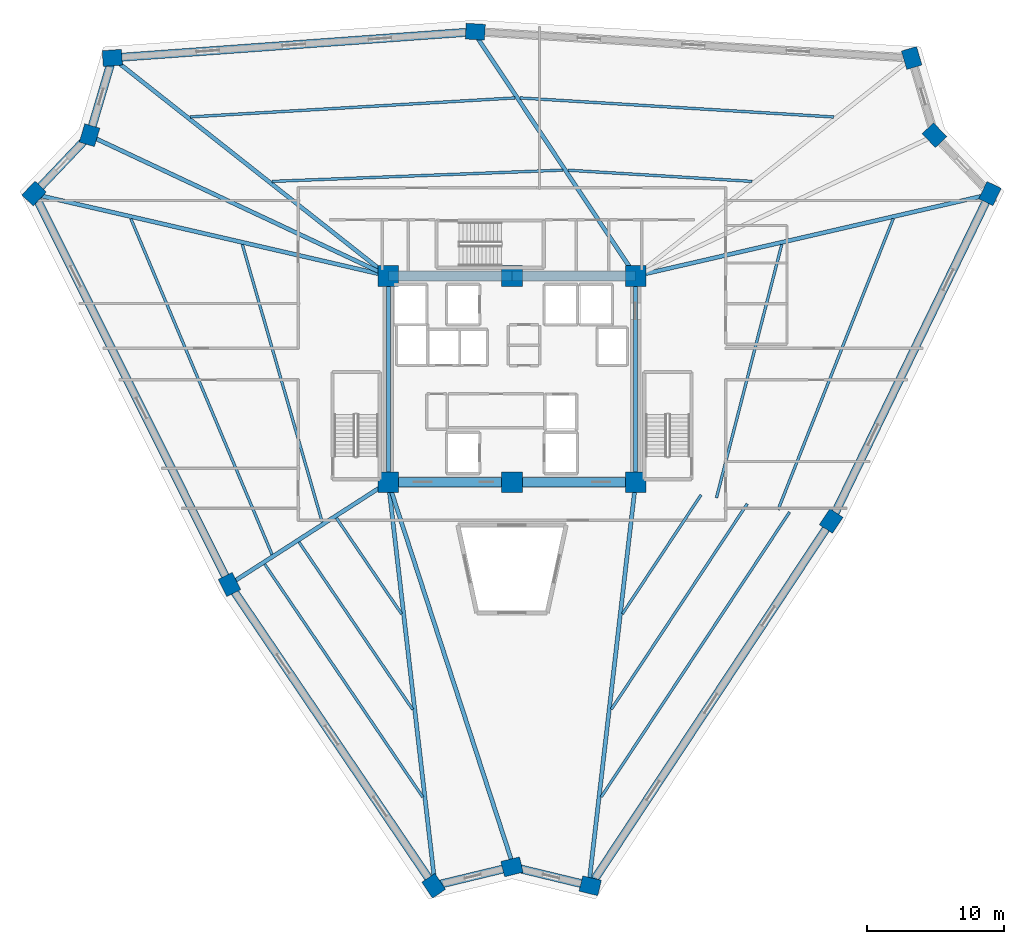
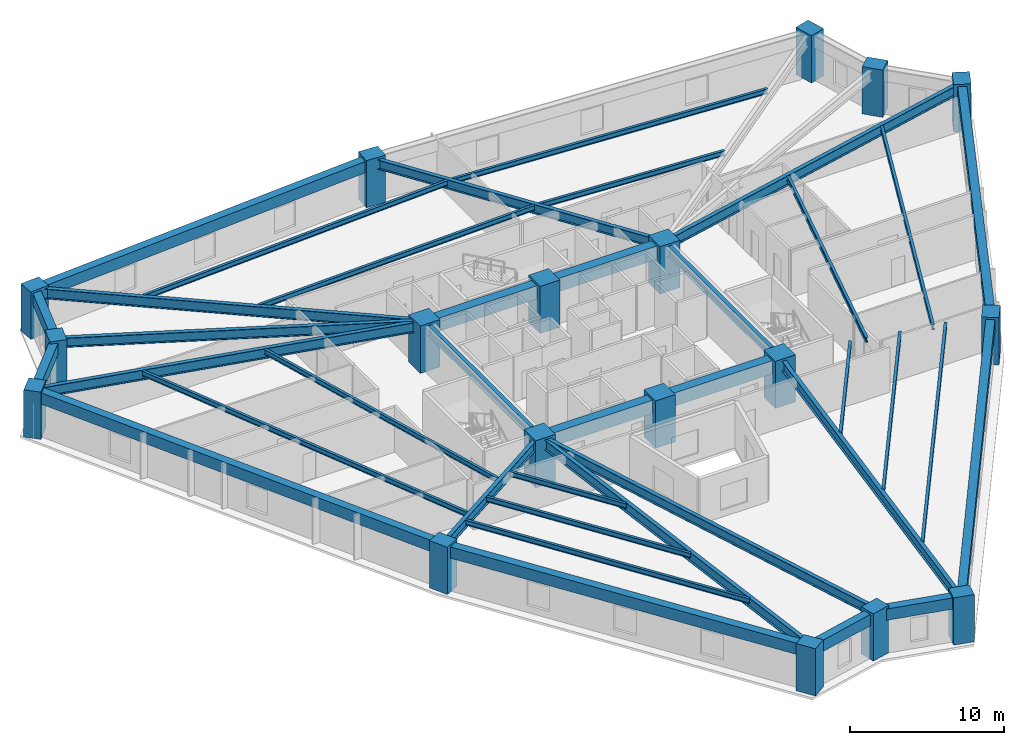
# One storey, part 1 of 8: 38 beams, 18 columns.
"""IFC4 building model written with IfcOpenShell, lengths in metres."""

import ifcopenshell
import ifcopenshell.guid

model = None  # the IFC model being written
_history = None  # IfcOwnerHistory: only IFC2X3 demands one
_inside = {}  # id of a spatial element -> (the spatial element, [elements in it])
_under = {}  # id of a project, library or spatial element -> (it, [spatial elements below it])
_declared = {}  # id of a project -> (the project, [libraries it declares])
_typed = {}  # id of a type object -> (the type object, [elements of that type])
_made_of = {}  # id of a material, layer set ... -> (it, [elements and type objects made of it])


def new_model(schema):
    """Start an empty IFC model of exactly this schema.

    Asked for "IFC4X3", IfcOpenShell would pick the latest addendum, in which some entities
    have other attributes; the version numbers below select the first issue.
    IFC2X3 requires an IfcOwnerHistory on every rooted entity: one is made here for all.
    """
    global model, _history
    if schema == "IFC4X3":
        model = ifcopenshell.file(schema_version=(4, 3, 0, 0))
    else:
        model = ifcopenshell.file(schema=schema)
    _inside.clear()
    _under.clear()
    _declared.clear()
    _typed.clear()
    _made_of.clear()
    _history = None
    if model.schema == "IFC2X3":
        org = make("IfcOrganization", Name="unknown")
        user = make(
            "IfcPersonAndOrganization",
            ThePerson=make("IfcPerson", FamilyName="unknown"),
            TheOrganization=org,
        )
        app = make(
            "IfcApplication",
            ApplicationDeveloper=org,
            Version="unknown",
            ApplicationFullName="unknown",
            ApplicationIdentifier="unknown",
        )
        _history = make(
            "IfcOwnerHistory",
            OwningUser=user,
            OwningApplication=app,
            ChangeAction="ADDED",
            CreationDate=0,
        )
    return model


def make(cls, **values):
    """One entity of the class cls with the attributes given. An attribute that is None is left unset."""
    return model.create_entity(
        cls, **{name: value for name, value in values.items() if value is not None}
    )


def rooted(cls, **values):
    """An entity with a GlobalId (a new one), such as an element, a storey or a relation."""
    return make(cls, GlobalId=ifcopenshell.guid.new(), OwnerHistory=_history, **values)


def si_unit(unit_type, name, prefix=None):
    """IfcSIUnit, for example si_unit("LENGTHUNIT", "METRE", prefix="MILLI")."""
    return make("IfcSIUnit", UnitType=unit_type, Prefix=prefix, Name=name)


def assignment(units):
    """IfcUnitAssignment: the units of a project."""
    return None if units is None else make("IfcUnitAssignment", Units=units)


def point(xyz):
    """IfcCartesianPoint."""
    return None if xyz is None else make("IfcCartesianPoint", Coordinates=xyz)


def direction(xyz):
    """IfcDirection."""
    return None if xyz is None else make("IfcDirection", DirectionRatios=xyz)


def frame(location, z_axis=None, x_axis=None):
    """IfcAxis2Placement3D, a coordinate frame: its origin and axes. An axis left out is left unset."""
    return make(
        "IfcAxis2Placement3D",
        Location=point(location),
        Axis=direction(z_axis),
        RefDirection=direction(x_axis),
    )


def frame_2d(location, x_axis=None):
    """IfcAxis2Placement2D, a coordinate frame in the plane: its origin and x axis."""
    return make(
        "IfcAxis2Placement2D", Location=point(location), RefDirection=direction(x_axis)
    )


def origin():
    """The frame at (0, 0, 0) with its axes left unset."""
    return frame((0.0, 0.0, 0.0))


def origin_2d():
    """The frame at (0, 0) in the plane with its x axis left unset."""
    return frame_2d((0.0, 0.0))


def place(relative_to, where):
    """IfcLocalPlacement: puts the frame where relative to a parent placement (None: the world)."""
    return make(
        "IfcLocalPlacement", PlacementRelTo=relative_to, RelativePlacement=where
    )


def context(
    kind, dimensions, precision=None, world=None, true_north=None, identifier=None
):
    """IfcGeometricRepresentationContext, for example the 3D "Model" context."""
    return make(
        "IfcGeometricRepresentationContext",
        ContextIdentifier=identifier,
        ContextType=kind,
        CoordinateSpaceDimension=dimensions,
        Precision=precision,
        WorldCoordinateSystem=world,
        TrueNorth=true_north,
    )


def subcontext(parent, identifier, kind, view, scale=None):
    """IfcGeometricRepresentationSubContext, for example "Body" below "Model"."""
    return make(
        "IfcGeometricRepresentationSubContext",
        ContextIdentifier=identifier,
        ContextType=kind,
        ParentContext=parent,
        TargetScale=scale,
        TargetView=view,
    )


def project(units=None, contexts=None):
    """IfcProject with its units and contexts."""
    return rooted(
        "IfcProject",
        Name="project",
        RepresentationContexts=contexts,
        UnitsInContext=assignment(units),
    )


def spatial(cls, under=None, at=None, **own):
    """A site, building, storey or space (cls), placed at a placement, below another one or the project."""
    s = rooted(cls, ObjectPlacement=at, **own)
    if under is not None:
        _under.setdefault(under.id(), (under, []))[1].append(s)
    return s


def profile(cls, at=None, kind="AREA", **sizes):
    """A parametric profile (cls). Its sizes go by their IFC names, for example OverallWidth=200.0."""
    return make(cls, ProfileType=kind, Position=at, **sizes)


def rectangle(**sizes):
    """IfcRectangleProfileDef."""
    return profile("IfcRectangleProfileDef", **sizes)


def i_section(**sizes):
    """IfcIShapeProfileDef."""
    return profile("IfcIShapeProfileDef", **sizes)


def extrude(swept, where, along, depth):
    """IfcExtrudedAreaSolid: the profile swept, set in the frame where, extruded along a direction by depth."""
    return make(
        "IfcExtrudedAreaSolid",
        SweptArea=swept,
        Position=where,
        ExtrudedDirection=direction(along),
        Depth=depth,
    )


def shape(context_of_items, identifier, shape_type, items):
    """IfcShapeRepresentation: the items that make up one representation, for example the "Body"."""
    return make(
        "IfcShapeRepresentation",
        ContextOfItems=context_of_items,
        RepresentationIdentifier=identifier,
        RepresentationType=shape_type,
        Items=items,
    )


def source(mapping_origin, context_of_items, identifier, shape_type, items):
    """IfcRepresentationMap: a shape defined once, which mapped items show again and again."""
    return make(
        "IfcRepresentationMap",
        MappingOrigin=mapping_origin,
        MappedRepresentation=shape(context_of_items, identifier, shape_type, items),
    )


def transform(
    local_origin,
    x_axis=None,
    y_axis=None,
    z_axis=None,
    scale=None,
    scale2=None,
    scale3=None,
    uniform=True,
):
    """IfcCartesianTransformationOperator3D, or its non-uniform kind. x_axis, y_axis, z_axis: its Axis1, 2, 3."""
    if uniform:
        return make(
            "IfcCartesianTransformationOperator3D",
            Axis1=direction(x_axis),
            Axis2=direction(y_axis),
            LocalOrigin=point(local_origin),
            Scale=scale,
            Axis3=direction(z_axis),
        )
    return make(
        "IfcCartesianTransformationOperator3DnonUniform",
        Axis1=direction(x_axis),
        Axis2=direction(y_axis),
        LocalOrigin=point(local_origin),
        Scale=scale,
        Axis3=direction(z_axis),
        Scale2=scale2,
        Scale3=scale3,
    )


def mapped(mapping_source, mapping_target):
    """IfcMappedItem: shows the shape of a source again, moved by a transform."""
    return make(
        "IfcMappedItem", MappingSource=mapping_source, MappingTarget=mapping_target
    )


def material(Name=None, Category=None):
    """IfcMaterial."""
    return make("IfcMaterial", Name=Name, Category=Category)


def material_profile(
    of_material, cross_section, Name=None, Category=None, Priority=None
):
    """IfcMaterialProfile: a cross section and its material."""
    return make(
        "IfcMaterialProfile",
        Name=Name,
        Material=of_material,
        Profile=cross_section,
        Priority=Priority,
        Category=Category,
    )


def profile_set(profiles, Name=None, composite=None):
    """IfcMaterialProfileSet."""
    return make(
        "IfcMaterialProfileSet",
        Name=Name,
        MaterialProfiles=profiles,
        CompositeProfile=composite,
    )


def made_of(thing, what):
    """Note that an element or type object is made of a material, layer set ...; save() writes the relation."""
    if what is not None:
        _made_of.setdefault(what.id(), (what, []))[1].append(thing)
    return thing


def type_object(cls, material=None, **own):
    """A type object (cls), such as IfcWallType, which elements share."""
    return made_of(rooted(cls, **own), material)


def element(
    cls,
    number,
    at=None,
    inside=None,
    cuts=None,
    type_object=None,
    material=None,
    context=None,
    identifier="Body",
    shape_type=None,
    held_by="IfcProductDefinitionShape",
    body=None,
    shapes=None,
    **own,
):
    """One element of the class cls, such as IfcWall. Its Tag is "e" and its number.

    at: its placement. inside: the storey or other place that contains it. cuts: it is an
    opening in that element (IfcRelVoidsElement). A single representation is given by context,
    identifier, shape_type and body (its items); several are given by shapes. held_by: the class
    of the entity that holds the representations. save() writes the other relations.
    """
    e = rooted(cls, Tag="e%d" % number, ObjectPlacement=at, **own)
    if body is not None:
        shapes = [shape(context, identifier, shape_type, body)]
    if shapes is not None:
        e.Representation = make(held_by, Representations=shapes)
    if inside is not None:
        _inside.setdefault(inside.id(), (inside, []))[1].append(e)
    if cuts is not None:
        rooted(
            "IfcRelVoidsElement", RelatingBuildingElement=cuts, RelatedOpeningElement=e
        )
    if type_object is not None:
        _typed.setdefault(type_object.id(), (type_object, []))[1].append(e)
    return made_of(e, material)


def aggregate(whole, parts):
    """IfcRelAggregates: a whole, such as a stair, and the parts it consists of."""
    return rooted("IfcRelAggregates", RelatingObject=whole, RelatedObjects=parts)


def save(model, path):
    """Write the relations noted so far, then the file.

    IfcRelAggregates (storeys below a building ...), IfcRelContainedInSpatialStructure (elements
    in a storey), IfcRelDefinesByType, IfcRelAssociatesMaterial and IfcRelDeclares: one each for
    every whole, place, type object, material and project.
    """
    for whole, parts in _under.values():
        aggregate(whole, parts)
    for where, things in _inside.values():
        rooted(
            "IfcRelContainedInSpatialStructure",
            RelatedElements=things,
            RelatingStructure=where,
        )
    for kind, things in _typed.values():
        rooted("IfcRelDefinesByType", RelatedObjects=things, RelatingType=kind)
    for what, things in _made_of.values():
        rooted("IfcRelAssociatesMaterial", RelatedObjects=things, RelatingMaterial=what)
    for by, libraries in _declared.values():
        rooted("IfcRelDeclares", RelatingContext=by, RelatedDefinitions=libraries)
    model.write(path)


model = new_model("IFC4")

# Units and contexts
model_context = context("Model", 3, precision=1e-05, world=origin(), true_north=direction((0.0, 1.0)))
body_context = subcontext(model_context, "Body", "Model", "MODEL_VIEW")
ifc_project = project(units=[si_unit("LENGTHUNIT", "METRE"), si_unit("AREAUNIT", "SQUARE_METRE"), si_unit("VOLUMEUNIT", "CUBIC_METRE"), si_unit("PLANEANGLEUNIT", "RADIAN"), si_unit("MASSUNIT", "GRAM", prefix="KILO")], contexts=[model_context])

# Site, building, storey
site_placement = place(None, origin())
site = spatial("IfcSite", under=ifc_project, at=site_placement, CompositionType="ELEMENT")
building_placement = place(site_placement, origin())
building = spatial("IfcBuilding", under=site, at=building_placement, Name="Liaohun Quay Tower", CompositionType="ELEMENT")
storey_placement = place(building_placement, frame((0.0, 0.0, 174.0)))
storey = spatial("IfcBuildingStorey", under=building, at=storey_placement, Name="L45", CompositionType="ELEMENT", Elevation=174.0)

# Columns
ifc_material_1 = material(Name="Concrete C60", Category="concrete")
ifc_material_profile_1 = material_profile(ifc_material_1, rectangle(XDim=1.5, YDim=1.5, at=origin_2d()), Name="RC1500x1500")
ifc_profile_set_1 = profile_set([ifc_material_profile_1], Name="Concrete C60")
column_type_1 = type_object("IfcColumnType", Name="COL-CC-Z2", PredefinedType="COLUMN", material=ifc_profile_set_1)
shared_shape_1 = source(origin(), body_context, "Body", "SweptSolid", [
    extrude(rectangle(XDim=1.5, YDim=1.5, at=origin_2d()), origin(), (0.0, 0.0, 1.0), 3.75),
])
for number, where, z_axis, x_axis, name in (
    (1, (51.0, 46.5, 0.0), (0.0, 0.0, 1.0), (1.0, 0.0, 0.0), "L45 Core Column CC1"),
    (2, (60.0, 46.5, 0.0), (0.0, 0.0, 1.0), (1.0, 0.0, 0.0), "L45 Core Column CC2"),
    (3, (69.0, 46.5, 0.0), (0.0, 0.0, 1.0), (1.0, 0.0, 0.0), "L45 Core Column CC3"),
    (4, (69.0, 61.5, 0.0), (0.0, 0.0, 1.0), (1.0, 0.0, 0.0), "L45 Core Column CC4"),
    (5, (60.0, 61.5, 0.0), (0.0, 0.0, 1.0), (1.0, 0.0, 0.0), "L45 Core Column CC5"),
    (6, (51.0, 61.5, 0.0), (0.0, 0.0, 1.0), (1.0, 0.0, 0.0), "L45 Core Column CC6"),
):
    element("IfcColumn", number, at=place(storey_placement, frame(where, z_axis=z_axis, x_axis=x_axis)), inside=storey, type_object=column_type_1, Name=name, PredefinedType="COLUMN", context=body_context, shape_type="MappedRepresentation", body=[
        mapped(shared_shape_1, transform((0.0, 0.0, 0.0), x_axis=(1.0, 0.0, 0.0), y_axis=(0.0, 1.0, 0.0), z_axis=(0.0, 0.0, 1.0), scale=1.0)),
    ])
ifc_material_profile_2 = material_profile(ifc_material_1, rectangle(XDim=1.39990234375, YDim=1.14990234375, at=origin_2d()), Name="RC1400x1150")
ifc_profile_set_2 = profile_set([ifc_material_profile_2], Name="Concrete C60")
column_type_2 = type_object("IfcColumnType", Name="COL-PIER-Z2", PredefinedType="COLUMN", material=ifc_profile_set_2)
shared_shape_2 = source(origin(), body_context, "Body", "SweptSolid", [
    extrude(rectangle(XDim=1.39990234375, YDim=1.14990234375, at=origin_2d()), origin(), (0.0, 0.0, 1.0), 3.75),
])
for number, where, z_axis, x_axis, name in (
    (7, (54.300048828125, 17.1220703125, 0.0), (0.0, 0.0, 1.0), (-0.56107248907, 0.827766671236, 0.0), "L45 Perimeter Pier PC01"),
    (8, (39.43994140625, 39.044921875, 0.0), (0.0, 0.0, 1.0), (-0.446978620671, 0.894544639838, 0.0), "L45 Perimeter Pier PC02"),
    (9, (25.218017578125, 67.508056640625, 0.0), (0.0, 0.0, 1.0), (0.689240273721, 0.724532846102, 0.0), "L45 Perimeter Pier PC03"),
    (10, (29.25390625, 71.7509765625, 0.0), (0.0, 0.0, 1.0), (0.28284371374, 0.959166009405, 0.0), "L45 Perimeter Pier PC04"),
    (11, (30.9130859375, 77.3759765625, 0.0), (0.0, 0.0, 1.0), (0.997403210231, 0.072019693281, 0.0), "L45 Perimeter Pier PC05"),
    (12, (57.3291015625, 79.282958984375, 0.0), (0.0, 0.0, 1.0), (-0.998187693254, 0.060177479469, 0.0), "L45 Perimeter Pier PC06"),
    (13, (89.089111328125, 77.367919921875, 0.0), (0.0, 0.0, 1.0), (-0.28284371374, 0.959166009405, 0.0), "L45 Perimeter Pier PC07"),
    (14, (90.74609375, 71.7509765625, 0.0), (0.0, 0.0, 1.0), (-0.689240273721, 0.724532846102, 0.0), "L45 Perimeter Pier PC08"),
    (15, (94.787109375, 67.5029296875, 0.0), (0.0, 0.0, 1.0), (0.436330721162, 0.899786364517, 0.0), "L45 Perimeter Pier PC09"),
    (16, (83.23193359375, 43.672119140625, 0.0), (0.0, 0.0, 1.0), (0.551209072583, 0.834367160369, 0.0), "L45 Perimeter Pier PC10"),
    (17, (65.693115234375, 17.123046875, 0.0), (0.0, 0.0, 1.0), (-0.972043021443, 0.234802820391, 0.0), "L45 Perimeter Pier PC11"),
    (18, (60.0, 18.498046875, 0.0), (0.0, 0.0, 1.0), (0.972043021443, 0.234802820391, 0.0), "L45 Perimeter Pier PC12"),
):
    element("IfcColumn", number, at=place(storey_placement, frame(where, z_axis=z_axis, x_axis=x_axis)), inside=storey, type_object=column_type_2, Name=name, PredefinedType="COLUMN", context=body_context, shape_type="MappedRepresentation", body=[
        mapped(shared_shape_2, transform((0.0, 0.0, 0.0), x_axis=(1.0, 0.0, 0.0), y_axis=(0.0, 1.0, 0.0), z_axis=(0.0, 0.0, 1.0), scale=1.0)),
    ])

# Beams
ifc_material_profile_3 = material_profile(ifc_material_1, rectangle(XDim=0.699951171875, YDim=1.050048828125, at=origin_2d()), Name="RC700x1050")
ifc_profile_set_3 = profile_set([ifc_material_profile_3], Name="Concrete C60")
beam_type_1 = type_object("IfcBeamType", Name="BM-CPL-1", PredefinedType="LINTEL", material=ifc_profile_set_3)
shared_shape_3 = source(origin(), body_context, "Body", "SweptSolid", [
    extrude(rectangle(XDim=0.699951171875, YDim=1.050048828125, at=origin_2d()), origin(), (0.0, 0.0, 1.0), 9.0),
])
for number, where, z_axis, x_axis, name in (
    (19, (51.0, 46.5, 3.044921875), (1.0, 0.0, 0.0), (0.0, 1.0, 0.0), "L45 Core Coupling/Ring Beam CC1-CC2"),
    (20, (60.0, 46.5, 3.044921875), (1.0, 0.0, 0.0), (0.0, 1.0, 0.0), "L45 Core Coupling/Ring Beam CC2-CC3"),
    (21, (69.0, 61.5, 3.044921875), (-1.0, 0.0, 0.0), (0.0, -1.0, 0.0), "L45 Core Coupling/Ring Beam CC4-CC5"),
    (22, (60.0, 61.5, 3.044921875), (-1.0, 0.0, 0.0), (0.0, -1.0, 0.0), "L45 Core Coupling/Ring Beam CC5-CC6"),
):
    element("IfcBeam", number, at=place(storey_placement, frame(where, z_axis=z_axis, x_axis=x_axis)), inside=storey, type_object=beam_type_1, Name=name, PredefinedType="LINTEL", context=body_context, shape_type="MappedRepresentation", body=[
        mapped(shared_shape_3, transform((0.0, 0.0, 0.0), x_axis=(1.0, 0.0, 0.0), y_axis=(0.0, 1.0, 0.0), z_axis=(0.0, 0.0, 1.0), scale=1.0)),
    ])
ifc_material_2 = material(Name="Steel Q355D", Category="steel")
ifc_material_profile_4 = material_profile(ifc_material_2, i_section(OverallWidth=0.300048828125, OverallDepth=0.800048828125, WebThickness=0.013916015625, FlangeThickness=0.02587890625, at=origin_2d()), Name="HN800x300x14x26")
ifc_profile_set_4 = profile_set([ifc_material_profile_4], Name="Steel Q355D")
beam_type_2 = type_object("IfcBeamType", Name="BM-RAD-M1", PredefinedType="BEAM", material=ifc_profile_set_4)
shared_shape_4 = source(origin(), body_context, "Body", "SweptSolid", [
    extrude(i_section(OverallWidth=0.300048828125, OverallDepth=0.800048828125, WebThickness=0.013916015625, FlangeThickness=0.02587890625, at=origin_2d()), origin(), (0.0, 0.0, 1.0), 15.0),
])
for number, where, z_axis, x_axis, name in (
    (23, (69.0, 46.5, 3.169921875), (0.0, 1.0, 0.0), (-1.0, 0.0, 0.0), "L45 Core Coupling/Ring Beam CC3-CC4"),
    (24, (51.0, 61.5, 3.169921875), (0.0, -1.0, 0.0), (1.0, 0.0, 0.0), "L45 Core Coupling/Ring Beam CC6-CC1"),
):
    element("IfcBeam", number, at=place(storey_placement, frame(where, z_axis=z_axis, x_axis=x_axis)), inside=storey, type_object=beam_type_2, Name=name, PredefinedType="BEAM", context=body_context, shape_type="MappedRepresentation", body=[
        mapped(shared_shape_4, transform((0.0, 0.0, 0.0), x_axis=(1.0, 0.0, 0.0), y_axis=(0.0, 1.0, 0.0), z_axis=(0.0, 0.0, 1.0), scale=1.0)),
    ])
ifc_material_3 = material(Name="Precast concrete C55", Category="concrete")
ifc_material_profile_5 = material_profile(ifc_material_3, rectangle(XDim=0.60009765625, YDim=0.89990234375, at=origin_2d()), Name="RC600x900")
ifc_profile_set_5 = profile_set([ifc_material_profile_5], Name="Precast concrete C55")
beam_type_3 = type_object("IfcBeamType", Name="BM-SPD-Z2", PredefinedType="SPANDREL", material=ifc_profile_set_5)
shared_shape_5 = source(origin(), body_context, "Body", "SweptSolid", [
    extrude(rectangle(XDim=0.60009765625, YDim=0.89990234375, at=origin_2d()), origin(), (0.0, 0.0, 1.0), 26.484619140625),
])
for number, where, z_axis, x_axis, name in (
    (25, (54.300048828125, 17.1220703125, 3.1201171875), (-0.561084764615, 0.827758350557, 0.0), (-0.827758350557, -0.561084764615, 0.0), "L45 Precast Spandrel Beam PC01-PC02"),
    (26, (94.787109375, 67.5029296875, 3.1201171875), (-0.436299289997, -0.89980160566, 0.0), (0.89980160566, -0.436299289997, 0.0), "L45 Precast Spandrel Beam PC09-PC10"),
):
    element("IfcBeam", number, at=place(storey_placement, frame(where, z_axis=z_axis, x_axis=x_axis)), inside=storey, type_object=beam_type_3, Name=name, PredefinedType="SPANDREL", context=body_context, shape_type="MappedRepresentation", body=[
        mapped(shared_shape_5, transform((0.0, 0.0, 0.0), x_axis=(1.0, 0.0, 0.0), y_axis=(0.0, 1.0, 0.0), z_axis=(0.0, 0.0, 1.0), scale=1.0)),
    ])
shared_shape_6 = source(origin(), body_context, "Body", "SweptSolid", [
    extrude(rectangle(XDim=0.60009765625, YDim=0.89990234375, at=origin_2d()), origin(), (0.0, 0.0, 1.0), 31.818359375),
])
beam_1_placement = place(storey_placement, frame((39.43994140625, 39.044921875, 3.1201171875), z_axis=(-0.446971114522, 0.894548390409, 0.0), x_axis=(-0.894548390409, -0.446971114522, 0.0)))
element("IfcBeam", 27, at=beam_1_placement, inside=storey, type_object=beam_type_3, Name="L45 Precast Spandrel Beam PC02-PC03", PredefinedType="SPANDREL", context=body_context, shape_type="MappedRepresentation", body=[
    mapped(shared_shape_6, transform((0.0, 0.0, 0.0), x_axis=(1.0, 0.0, 0.0), y_axis=(0.0, 1.0, 0.0), z_axis=(0.0, 0.0, 1.0), scale=1.0)),
])
shared_shape_7 = source(origin(), body_context, "Body", "SweptSolid", [
    extrude(rectangle(XDim=0.60009765625, YDim=0.89990234375, at=origin_2d()), origin(), (0.0, 0.0, 1.0), 5.855712890625),
])
beam_2_placement = place(storey_placement, frame((25.218017578125, 67.508056640625, 3.1201171875), z_axis=(0.689208427544, 0.724563139694, 0.0), x_axis=(-0.724563139694, 0.689208427544, 0.0)))
element("IfcBeam", 28, at=beam_2_placement, inside=storey, type_object=beam_type_3, Name="L45 Precast Spandrel Beam PC03-PC04", PredefinedType="SPANDREL", context=body_context, shape_type="MappedRepresentation", body=[
    mapped(shared_shape_7, transform((0.0, 0.0, 0.0), x_axis=(1.0, 0.0, 0.0), y_axis=(0.0, 1.0, 0.0), z_axis=(0.0, 0.0, 1.0), scale=1.0)),
])
shared_shape_8 = source(origin(), body_context, "Body", "SweptSolid", [
    extrude(rectangle(XDim=0.60009765625, YDim=0.89990234375, at=origin_2d()), origin(), (0.0, 0.0, 1.0), 5.864501953125),
])
beam_3_placement = place(storey_placement, frame((29.25390625, 71.7509765625, 3.1201171875), z_axis=(0.282914509671, 0.959145129903, 0.0), x_axis=(-0.959145129903, 0.282914509671, 0.0)))
element("IfcBeam", 29, at=beam_3_placement, inside=storey, type_object=beam_type_3, Name="L45 Precast Spandrel Beam PC04-PC05", PredefinedType="SPANDREL", context=body_context, shape_type="MappedRepresentation", body=[
    mapped(shared_shape_8, transform((0.0, 0.0, 0.0), x_axis=(1.0, 0.0, 0.0), y_axis=(0.0, 1.0, 0.0), z_axis=(0.0, 0.0, 1.0), scale=1.0)),
])
shared_shape_9 = source(origin(), body_context, "Body", "SweptSolid", [
    extrude(rectangle(XDim=0.60009765625, YDim=0.89990234375, at=origin_2d()), origin(), (0.0, 0.0, 1.0), 26.48486328125),
])
beam_4_placement = place(storey_placement, frame((30.9130859375, 77.3759765625, 3.1201171875), z_axis=(0.99740441461, 0.072003011853, 0.0), x_axis=(-0.072003011853, 0.99740441461, 0.0)))
element("IfcBeam", 30, at=beam_4_placement, inside=storey, type_object=beam_type_3, Name="L45 Precast Spandrel Beam PC05-PC06", PredefinedType="SPANDREL", context=body_context, shape_type="MappedRepresentation", body=[
    mapped(shared_shape_9, transform((0.0, 0.0, 0.0), x_axis=(1.0, 0.0, 0.0), y_axis=(0.0, 1.0, 0.0), z_axis=(0.0, 0.0, 1.0), scale=1.0)),
])
shared_shape_10 = source(origin(), body_context, "Body", "SweptSolid", [
    extrude(rectangle(XDim=0.60009765625, YDim=0.89990234375, at=origin_2d()), origin(), (0.0, 0.0, 1.0), 31.8193359375),
])
beam_5_placement = place(storey_placement, frame((83.23193359375, 43.672119140625, 3.1201171875), z_axis=(-0.551201850189, -0.834371931664, 0.0), x_axis=(0.834371931664, -0.551201850189, 0.0)))
element("IfcBeam", 31, at=beam_5_placement, inside=storey, type_object=beam_type_3, Name="L45 Precast Spandrel Beam PC10-PC11", PredefinedType="SPANDREL", context=body_context, shape_type="MappedRepresentation", body=[
    mapped(shared_shape_10, transform((0.0, 0.0, 0.0), x_axis=(1.0, 0.0, 0.0), y_axis=(0.0, 1.0, 0.0), z_axis=(0.0, 0.0, 1.0), scale=1.0)),
])
shared_shape_11 = source(origin(), body_context, "Body", "SweptSolid", [
    extrude(rectangle(XDim=0.60009765625, YDim=0.89990234375, at=origin_2d()), origin(), (0.0, 0.0, 1.0), 5.856689453125),
])
beam_6_placement = place(storey_placement, frame((65.693115234375, 17.123046875, 3.1201171875), z_axis=(-0.972051053399, 0.234769566994, 0.0), x_axis=(-0.234769566994, -0.972051053399, 0.0)))
element("IfcBeam", 32, at=beam_6_placement, inside=storey, type_object=beam_type_3, Name="L45 Precast Spandrel Beam PC11-PC12", PredefinedType="SPANDREL", context=body_context, shape_type="MappedRepresentation", body=[
    mapped(shared_shape_11, transform((0.0, 0.0, 0.0), x_axis=(1.0, 0.0, 0.0), y_axis=(0.0, 1.0, 0.0), z_axis=(0.0, 0.0, 1.0), scale=1.0)),
])
shared_shape_12 = source(origin(), body_context, "Body", "SweptSolid", [
    extrude(rectangle(XDim=0.60009765625, YDim=0.89990234375, at=origin_2d()), origin(), (0.0, 0.0, 1.0), 5.86376953125),
])
beam_7_placement = place(storey_placement, frame((60.0, 18.498046875, 3.1201171875), z_axis=(-0.97207729624, -0.234660883266, 0.0), x_axis=(0.234660883266, -0.97207729624, 0.0)))
element("IfcBeam", 33, at=beam_7_placement, inside=storey, type_object=beam_type_3, Name="L45 Precast Spandrel Beam PC12-PC01", PredefinedType="SPANDREL", context=body_context, shape_type="MappedRepresentation", body=[
    mapped(shared_shape_12, transform((0.0, 0.0, 0.0), x_axis=(1.0, 0.0, 0.0), y_axis=(0.0, 1.0, 0.0), z_axis=(0.0, 0.0, 1.0), scale=1.0)),
])
shared_shape_13 = source(origin(), body_context, "Body", "SweptSolid", [
    extrude(i_section(OverallWidth=0.300048828125, OverallDepth=0.800048828125, WebThickness=0.013916015625, FlangeThickness=0.02587890625, at=origin_2d()), origin(), (0.0, 0.0, 1.0), 29.1904296875),
])
beam_8_placement = place(storey_placement, frame((51.0, 46.5, 3.169921875), z_axis=(0.115177098439, -0.993344973307, 0.0), x_axis=(0.993344973307, 0.115177098439, 0.0)))
element("IfcBeam", 34, at=beam_8_placement, inside=storey, type_object=beam_type_2, Name="L45 Radial Primary Girder CC1-PC01", PredefinedType="BEAM", context=body_context, shape_type="MappedRepresentation", body=[
    mapped(shared_shape_13, transform((0.0, 0.0, 0.0), x_axis=(1.0, 0.0, 0.0), y_axis=(0.0, 1.0, 0.0), z_axis=(0.0, 0.0, 1.0), scale=1.0)),
])
ifc_material_profile_6 = material_profile(ifc_material_2, i_section(OverallWidth=0.300048828125, OverallDepth=0.75, WebThickness=0.013916015625, FlangeThickness=0.02587890625, at=origin_2d()), Name="HN750x300x14x26")
ifc_profile_set_6 = profile_set([ifc_material_profile_6], Name="Steel Q355D")
beam_type_4 = type_object("IfcBeamType", Name="BM-RAD-M2", PredefinedType="BEAM", material=ifc_profile_set_6)
shared_shape_14 = source(origin(), body_context, "Body", "SweptSolid", [
    extrude(i_section(OverallWidth=0.300048828125, OverallDepth=0.75, WebThickness=0.013916015625, FlangeThickness=0.02587890625, at=origin_2d()), origin(), (0.0, 0.0, 1.0), 13.50537109375),
])
beam_9_placement = place(storey_placement, frame((51.0, 46.5, 3.195068359375), z_axis=(-0.840997523628, -0.54103896833, 0.0), x_axis=(0.54103896833, -0.840997523628, 0.0)))
element("IfcBeam", 35, at=beam_9_placement, inside=storey, type_object=beam_type_4, Name="L45 Radial Primary Girder CC1-PC02", PredefinedType="BEAM", context=body_context, shape_type="MappedRepresentation", body=[
    mapped(shared_shape_14, transform((0.0, 0.0, 0.0), x_axis=(1.0, 0.0, 0.0), y_axis=(0.0, 1.0, 0.0), z_axis=(0.0, 0.0, 1.0), scale=1.0)),
])
shared_shape_15 = source(origin(), body_context, "Body", "SweptSolid", [
    extrude(i_section(OverallWidth=0.300048828125, OverallDepth=0.800048828125, WebThickness=0.013916015625, FlangeThickness=0.02587890625, at=origin_2d()), origin(), (0.0, 0.0, 1.0), 26.0888671875),
])
beam_10_placement = place(storey_placement, frame((51.0, 61.5, 3.169921875), z_axis=(-0.974357748377, 0.225004395908, 0.0), x_axis=(-0.225004395908, -0.974357748377, 0.0)))
element("IfcBeam", 36, at=beam_10_placement, inside=storey, type_object=beam_type_2, Name="L45 Radial Primary Girder CC6-PC03", PredefinedType="BEAM", context=body_context, shape_type="MappedRepresentation", body=[
    mapped(shared_shape_15, transform((0.0, 0.0, 0.0), x_axis=(1.0, 0.0, 0.0), y_axis=(0.0, 1.0, 0.0), z_axis=(0.0, 0.0, 1.0), scale=1.0)),
])
shared_shape_16 = source(origin(), body_context, "Body", "SweptSolid", [
    extrude(i_section(OverallWidth=0.300048828125, OverallDepth=0.75, WebThickness=0.013916015625, FlangeThickness=0.02587890625, at=origin_2d()), origin(), (0.0, 0.0, 1.0), 23.674072265625),
])
beam_11_placement = place(storey_placement, frame((51.0, 61.5, 3.195068359375), z_axis=(-0.905085425075, 0.42522978884, 0.0), x_axis=(-0.42522978884, -0.905085425075, 0.0)))
element("IfcBeam", 37, at=beam_11_placement, inside=storey, type_object=beam_type_4, Name="L45 Radial Primary Girder CC6-PC04", PredefinedType="BEAM", context=body_context, shape_type="MappedRepresentation", body=[
    mapped(shared_shape_16, transform((0.0, 0.0, 0.0), x_axis=(1.0, 0.0, 0.0), y_axis=(0.0, 1.0, 0.0), z_axis=(0.0, 0.0, 1.0), scale=1.0)),
])
shared_shape_17 = source(origin(), body_context, "Body", "SweptSolid", [
    extrude(i_section(OverallWidth=0.300048828125, OverallDepth=0.800048828125, WebThickness=0.013916015625, FlangeThickness=0.02587890625, at=origin_2d()), origin(), (0.0, 0.0, 1.0), 25.21533203125),
])
beam_12_placement = place(storey_placement, frame((51.0, 61.5, 3.169921875), z_axis=(-0.784677016189, 0.619904815487, 0.0), x_axis=(-0.619904815487, -0.784677016189, 0.0)))
element("IfcBeam", 38, at=beam_12_placement, inside=storey, type_object=beam_type_2, Name="L45 Radial Primary Girder CC6-PC05", PredefinedType="BEAM", context=body_context, shape_type="MappedRepresentation", body=[
    mapped(shared_shape_17, transform((0.0, 0.0, 0.0), x_axis=(1.0, 0.0, 0.0), y_axis=(0.0, 1.0, 0.0), z_axis=(0.0, 0.0, 1.0), scale=1.0)),
])
shared_shape_18 = source(origin(), body_context, "Body", "SweptSolid", [
    extrude(i_section(OverallWidth=0.300048828125, OverallDepth=0.75, WebThickness=0.013916015625, FlangeThickness=0.02587890625, at=origin_2d()), origin(), (0.0, 0.0, 1.0), 21.04736328125),
])
beam_13_placement = place(storey_placement, frame((69.0, 61.5, 3.195068359375), z_axis=(-0.553232427979, 0.83302693872, 0.0), x_axis=(-0.83302693872, -0.553232427979, 0.0)))
element("IfcBeam", 39, at=beam_13_placement, inside=storey, type_object=beam_type_4, Name="L45 Radial Primary Girder CC4-PC06", PredefinedType="BEAM", context=body_context, shape_type="MappedRepresentation", body=[
    mapped(shared_shape_18, transform((0.0, 0.0, 0.0), x_axis=(1.0, 0.0, 0.0), y_axis=(0.0, 1.0, 0.0), z_axis=(0.0, 0.0, 1.0), scale=1.0)),
])
shared_shape_19 = source(origin(), body_context, "Body", "SweptSolid", [
    extrude(i_section(OverallWidth=0.300048828125, OverallDepth=0.800048828125, WebThickness=0.013916015625, FlangeThickness=0.02587890625, at=origin_2d()), origin(), (0.0, 0.0, 1.0), 26.0927734375),
])
beam_14_placement = place(storey_placement, frame((69.0, 61.5, 3.169921875), z_axis=(0.974410746355, 0.224774770356, 0.0), x_axis=(-0.224774770356, 0.974410746355, 0.0)))
element("IfcBeam", 40, at=beam_14_placement, inside=storey, type_object=beam_type_2, Name="L45 Radial Primary Girder CC4-PC09", PredefinedType="BEAM", context=body_context, shape_type="MappedRepresentation", body=[
    mapped(shared_shape_19, transform((0.0, 0.0, 0.0), x_axis=(1.0, 0.0, 0.0), y_axis=(0.0, 1.0, 0.0), z_axis=(0.0, 0.0, 1.0), scale=1.0)),
])
shared_shape_20 = source(origin(), body_context, "Body", "SweptSolid", [
    extrude(i_section(OverallWidth=0.300048828125, OverallDepth=0.800048828125, WebThickness=0.013916015625, FlangeThickness=0.02587890625, at=origin_2d()), origin(), (0.0, 0.0, 1.0), 29.18896484375),
])
beam_15_placement = place(storey_placement, frame((69.0, 46.5, 3.169921875), z_axis=(-0.115416796794, -0.993317151275, 0.0), x_axis=(0.993317151275, -0.115416796794, 0.0)))
element("IfcBeam", 41, at=beam_15_placement, inside=storey, type_object=beam_type_2, Name="L45 Radial Primary Girder CC3-PC11", PredefinedType="BEAM", context=body_context, shape_type="MappedRepresentation", body=[
    mapped(shared_shape_20, transform((0.0, 0.0, 0.0), x_axis=(1.0, 0.0, 0.0), y_axis=(0.0, 1.0, 0.0), z_axis=(0.0, 0.0, 1.0), scale=1.0)),
])
shared_shape_21 = source(origin(), body_context, "Body", "SweptSolid", [
    extrude(i_section(OverallWidth=0.300048828125, OverallDepth=0.75, WebThickness=0.013916015625, FlangeThickness=0.02587890625, at=origin_2d()), origin(), (0.0, 0.0, 1.0), 29.062744140625),
])
beam_16_placement = place(storey_placement, frame((51.0, 46.5, 3.195068359375), z_axis=(0.309675423951, -0.950842327518, 0.0), x_axis=(0.950842327518, 0.309675423951, 0.0)))
element("IfcBeam", 42, at=beam_16_placement, inside=storey, type_object=beam_type_4, Name="L45 Radial Primary Girder CC1-PC12", PredefinedType="BEAM", context=body_context, shape_type="MappedRepresentation", body=[
    mapped(shared_shape_21, transform((0.0, 0.0, 0.0), x_axis=(1.0, 0.0, 0.0), y_axis=(0.0, 1.0, 0.0), z_axis=(0.0, 0.0, 1.0), scale=1.0)),
])
ifc_material_profile_7 = material_profile(ifc_material_2, i_section(OverallWidth=0.199951171875, OverallDepth=0.39990234375, WebThickness=0.008056640625, FlangeThickness=0.012939453125, at=origin_2d()), Name="HN400x200x8x13")
ifc_profile_set_7 = profile_set([ifc_material_profile_7], Name="Steel Q355D")
beam_type_5 = type_object("IfcBeamType", Name="BM-SEC-J2", PredefinedType="JOIST", material=ifc_profile_set_7)
shared_shape_22 = source(origin(), body_context, "Body", "SweptSolid", [
    extrude(i_section(OverallWidth=0.199951171875, OverallDepth=0.39990234375, WebThickness=0.008056640625, FlangeThickness=0.012939453125, at=origin_2d()), origin(), (0.0, 0.0, 1.0), 8.437255859375),
])
beam_17_placement = place(storey_placement, frame((51.9609375, 36.909912109375, 3.3701171875), z_axis=(-0.561565809271, 0.827432076885, 0.0), x_axis=(-0.827432076885, -0.561565809271, 0.0)))
element("IfcBeam", 43, at=beam_17_placement, inside=storey, type_object=beam_type_5, Name="L45 Wing Secondary Floor Joist SJ-01", PredefinedType="JOIST", context=body_context, shape_type="MappedRepresentation", body=[
    mapped(shared_shape_22, transform((0.0, 0.0, 0.0), x_axis=(1.0, 0.0, 0.0), y_axis=(0.0, 1.0, 0.0), z_axis=(0.0, 0.0, 1.0), scale=1.0)),
])
shared_shape_23 = source(origin(), body_context, "Body", "SweptSolid", [
    extrude(i_section(OverallWidth=0.199951171875, OverallDepth=0.39990234375, WebThickness=0.008056640625, FlangeThickness=0.012939453125, at=origin_2d()), origin(), (0.0, 0.0, 1.0), 14.728515625),
])
beam_18_placement = place(storey_placement, frame((52.76806640625, 29.950927734375, 3.3701171875), z_axis=(-0.561558976676, 0.827436714024, 0.0), x_axis=(-0.827436714024, -0.561558976676, 0.0)))
element("IfcBeam", 44, at=beam_18_placement, inside=storey, type_object=beam_type_5, Name="L45 Wing Secondary Floor Joist SJ-02", PredefinedType="JOIST", context=body_context, shape_type="MappedRepresentation", body=[
    mapped(shared_shape_23, transform((0.0, 0.0, 0.0), x_axis=(1.0, 0.0, 0.0), y_axis=(0.0, 1.0, 0.0), z_axis=(0.0, 0.0, 1.0), scale=1.0)),
])
shared_shape_24 = source(origin(), body_context, "Body", "SweptSolid", [
    extrude(i_section(OverallWidth=0.199951171875, OverallDepth=0.39990234375, WebThickness=0.008056640625, FlangeThickness=0.012939453125, at=origin_2d()), origin(), (0.0, 0.0, 1.0), 20.49462890625),
])
beam_19_placement = place(storey_placement, frame((53.507080078125, 23.572021484375, 3.3701171875), z_axis=(-0.561562008765, 0.827434656219, 0.0), x_axis=(-0.827434656219, -0.561562008765, 0.0)))
element("IfcBeam", 45, at=beam_19_placement, inside=storey, type_object=beam_type_5, Name="L45 Wing Secondary Floor Joist SJ-03", PredefinedType="JOIST", context=body_context, shape_type="MappedRepresentation", body=[
    mapped(shared_shape_24, transform((0.0, 0.0, 0.0), x_axis=(1.0, 0.0, 0.0), y_axis=(0.0, 1.0, 0.0), z_axis=(0.0, 0.0, 1.0), scale=1.0)),
])
shared_shape_25 = source(origin(), body_context, "Body", "SweptSolid", [
    extrude(i_section(OverallWidth=0.199951171875, OverallDepth=0.39990234375, WebThickness=0.008056640625, FlangeThickness=0.012939453125, at=origin_2d()), origin(), (0.0, 0.0, 1.0), 21.03857421875),
])
beam_20_placement = place(storey_placement, frame((46.18603515625, 43.58203125, 3.3701171875), z_axis=(-0.276394377443, 0.961044300809, 0.0), x_axis=(-0.961044300809, -0.276394377443, 0.0)))
element("IfcBeam", 46, at=beam_20_placement, inside=storey, type_object=beam_type_5, Name="L45 Wing Secondary Floor Joist SJ-04", PredefinedType="JOIST", context=body_context, shape_type="MappedRepresentation", body=[
    mapped(shared_shape_25, transform((0.0, 0.0, 0.0), x_axis=(1.0, 0.0, 0.0), y_axis=(0.0, 1.0, 0.0), z_axis=(0.0, 0.0, 1.0), scale=1.0)),
])
shared_shape_26 = source(origin(), body_context, "Body", "SweptSolid", [
    extrude(i_section(OverallWidth=0.199951171875, OverallDepth=0.39990234375, WebThickness=0.008056640625, FlangeThickness=0.012939453125, at=origin_2d()), origin(), (0.0, 0.0, 1.0), 26.51220703125),
])
beam_21_placement = place(storey_placement, frame((42.535888671875, 41.23291015625, 3.3701171875), z_axis=(-0.387553870064, 0.921847057704, 0.0), x_axis=(-0.921847057704, -0.387553870064, 0.0)))
element("IfcBeam", 47, at=beam_21_placement, inside=storey, type_object=beam_type_5, Name="L45 Wing Secondary Floor Joist SJ-05", PredefinedType="JOIST", context=body_context, shape_type="MappedRepresentation", body=[
    mapped(shared_shape_26, transform((0.0, 0.0, 0.0), x_axis=(1.0, 0.0, 0.0), y_axis=(0.0, 1.0, 0.0), z_axis=(0.0, 0.0, 1.0), scale=1.0)),
])
shared_shape_27 = source(origin(), body_context, "Body", "SweptSolid", [
    extrude(i_section(OverallWidth=0.199951171875, OverallDepth=0.39990234375, WebThickness=0.008056640625, FlangeThickness=0.012939453125, at=origin_2d()), origin(), (0.0, 0.0, 1.0), 21.19189453125),
])
beam_22_placement = place(storey_placement, frame((42.52490234375, 68.386962890625, 3.3701171875), z_axis=(0.999249197644, 0.038743270481, 0.0), x_axis=(-0.038743270481, 0.999249197644, 0.0)))
element("IfcBeam", 48, at=beam_22_placement, inside=storey, type_object=beam_type_5, Name="L45 Wing Secondary Floor Joist SJ-06", PredefinedType="JOIST", context=body_context, shape_type="MappedRepresentation", body=[
    mapped(shared_shape_27, transform((0.0, 0.0, 0.0), x_axis=(1.0, 0.0, 0.0), y_axis=(0.0, 1.0, 0.0), z_axis=(0.0, 0.0, 1.0), scale=1.0)),
])
shared_shape_28 = source(origin(), body_context, "Body", "SweptSolid", [
    extrude(i_section(OverallWidth=0.199951171875, OverallDepth=0.39990234375, WebThickness=0.008056640625, FlangeThickness=0.012939453125, at=origin_2d()), origin(), (0.0, 0.0, 1.0), 23.66650390625),
])
beam_23_placement = place(storey_placement, frame((36.583984375, 73.080078125, 3.3701171875), z_axis=(0.998288537246, 0.058480735312, 0.0), x_axis=(-0.058480735312, 0.998288537246, 0.0)))
element("IfcBeam", 49, at=beam_23_placement, inside=storey, type_object=beam_type_5, Name="L45 Wing Secondary Floor Joist SJ-07", PredefinedType="JOIST", context=body_context, shape_type="MappedRepresentation", body=[
    mapped(shared_shape_28, transform((0.0, 0.0, 0.0), x_axis=(1.0, 0.0, 0.0), y_axis=(0.0, 1.0, 0.0), z_axis=(0.0, 0.0, 1.0), scale=1.0)),
])
shared_shape_29 = source(origin(), body_context, "Body", "SweptSolid", [
    extrude(i_section(OverallWidth=0.199951171875, OverallDepth=0.39990234375, WebThickness=0.008056640625, FlangeThickness=0.012939453125, at=origin_2d()), origin(), (0.0, 0.0, 1.0), 13.442626953125),
])
beam_24_placement = place(storey_placement, frame((64.06396484375, 69.202880859375, 3.3701171875), z_axis=(0.998160711969, -0.060623370752, 0.0), x_axis=(0.060623370752, 0.998160711969, 0.0)))
element("IfcBeam", 50, at=beam_24_placement, inside=storey, type_object=beam_type_5, Name="L45 Wing Secondary Floor Joist SJ-08", PredefinedType="JOIST", context=body_context, shape_type="MappedRepresentation", body=[
    mapped(shared_shape_29, transform((0.0, 0.0, 0.0), x_axis=(1.0, 0.0, 0.0), y_axis=(0.0, 1.0, 0.0), z_axis=(0.0, 0.0, 1.0), scale=1.0)),
])
shared_shape_30 = source(origin(), body_context, "Body", "SweptSolid", [
    extrude(i_section(OverallWidth=0.199951171875, OverallDepth=0.39990234375, WebThickness=0.008056640625, FlangeThickness=0.012939453125, at=origin_2d()), origin(), (0.0, 0.0, 1.0), 22.88916015625),
])
beam_25_placement = place(storey_placement, frame((60.571044921875, 74.462890625, 3.3701171875), z_axis=(0.998159840222, -0.060637722312, 0.0), x_axis=(0.060637722312, 0.998159840222, 0.0)))
element("IfcBeam", 51, at=beam_25_placement, inside=storey, type_object=beam_type_5, Name="L45 Wing Secondary Floor Joist SJ-09", PredefinedType="JOIST", context=body_context, shape_type="MappedRepresentation", body=[
    mapped(shared_shape_30, transform((0.0, 0.0, 0.0), x_axis=(1.0, 0.0, 0.0), y_axis=(0.0, 1.0, 0.0), z_axis=(0.0, 0.0, 1.0), scale=1.0)),
])
shared_shape_31 = source(origin(), body_context, "Body", "SweptSolid", [
    extrude(i_section(OverallWidth=0.199951171875, OverallDepth=0.39990234375, WebThickness=0.008056640625, FlangeThickness=0.012939453125, at=origin_2d()), origin(), (0.0, 0.0, 1.0), 19.048095703125),
])
beam_26_placement = place(storey_placement, frame((79.635986328125, 63.800048828125, 3.3701171875), z_axis=(-0.249625270378, -0.968342513984, 0.0), x_axis=(0.968342513984, -0.249625270378, 0.0)))
element("IfcBeam", 52, at=beam_26_placement, inside=storey, type_object=beam_type_5, Name="L45 Wing Secondary Floor Joist SJ-10", PredefinedType="JOIST", context=body_context, shape_type="MappedRepresentation", body=[
    mapped(shared_shape_31, transform((0.0, 0.0, 0.0), x_axis=(1.0, 0.0, 0.0), y_axis=(0.0, 1.0, 0.0), z_axis=(0.0, 0.0, 1.0), scale=1.0)),
])
shared_shape_32 = source(origin(), body_context, "Body", "SweptSolid", [
    extrude(i_section(OverallWidth=0.199951171875, OverallDepth=0.39990234375, WebThickness=0.008056640625, FlangeThickness=0.012939453125, at=origin_2d()), origin(), (0.0, 0.0, 1.0), 22.787109375),
])
beam_27_placement = place(storey_placement, frame((87.7470703125, 65.6708984375, 3.3701171875), z_axis=(-0.368013329907, -0.929820514406, 0.0), x_axis=(0.929820514406, -0.368013329907, 0.0)))
element("IfcBeam", 53, at=beam_27_placement, inside=storey, type_object=beam_type_5, Name="L45 Wing Secondary Floor Joist SJ-11", PredefinedType="JOIST", context=body_context, shape_type="MappedRepresentation", body=[
    mapped(shared_shape_32, transform((0.0, 0.0, 0.0), x_axis=(1.0, 0.0, 0.0), y_axis=(0.0, 1.0, 0.0), z_axis=(0.0, 0.0, 1.0), scale=1.0)),
])
shared_shape_33 = source(origin(), body_context, "Body", "SweptSolid", [
    extrude(i_section(OverallWidth=0.199951171875, OverallDepth=0.39990234375, WebThickness=0.008056640625, FlangeThickness=0.012939453125, at=origin_2d()), origin(), (0.0, 0.0, 1.0), 10.375244140625),
])
beam_28_placement = place(storey_placement, frame((73.760986328125, 45.572998046875, 3.3701171875), z_axis=(-0.551595651984, -0.834111645232, 0.0), x_axis=(0.834111645232, -0.551595651984, 0.0)))
element("IfcBeam", 54, at=beam_28_placement, inside=storey, type_object=beam_type_5, Name="L45 Wing Secondary Floor Joist SJ-12", PredefinedType="JOIST", context=body_context, shape_type="MappedRepresentation", body=[
    mapped(shared_shape_33, transform((0.0, 0.0, 0.0), x_axis=(1.0, 0.0, 0.0), y_axis=(0.0, 1.0, 0.0), z_axis=(0.0, 0.0, 1.0), scale=1.0)),
])
shared_shape_34 = source(origin(), body_context, "Body", "SweptSolid", [
    extrude(i_section(OverallWidth=0.199951171875, OverallDepth=0.39990234375, WebThickness=0.008056640625, FlangeThickness=0.012939453125, at=origin_2d()), origin(), (0.0, 0.0, 1.0), 17.93310546875),
])
beam_29_placement = place(storey_placement, frame((77.12109375, 44.9189453125, 3.3701171875), z_axis=(-0.551611245775, -0.834101332893, 0.0), x_axis=(0.834101332893, -0.551611245775, 0.0)))
element("IfcBeam", 55, at=beam_29_placement, inside=storey, type_object=beam_type_5, Name="L45 Wing Secondary Floor Joist SJ-13", PredefinedType="JOIST", context=body_context, shape_type="MappedRepresentation", body=[
    mapped(shared_shape_34, transform((0.0, 0.0, 0.0), x_axis=(1.0, 0.0, 0.0), y_axis=(0.0, 1.0, 0.0), z_axis=(0.0, 0.0, 1.0), scale=1.0)),
])
shared_shape_35 = source(origin(), body_context, "Body", "SweptSolid", [
    extrude(i_section(OverallWidth=0.199951171875, OverallDepth=0.39990234375, WebThickness=0.008056640625, FlangeThickness=0.012939453125, at=origin_2d()), origin(), (0.0, 0.0, 1.0), 24.861572265625),
])
beam_30_placement = place(storey_placement, frame((80.201904296875, 44.319091796875, 3.3701171875), z_axis=(-0.551609873525, -0.834102240393, 0.0), x_axis=(0.834102240393, -0.551609873525, 0.0)))
element("IfcBeam", 56, at=beam_30_placement, inside=storey, type_object=beam_type_5, Name="L45 Wing Secondary Floor Joist SJ-14", PredefinedType="JOIST", context=body_context, shape_type="MappedRepresentation", body=[
    mapped(shared_shape_35, transform((0.0, 0.0, 0.0), x_axis=(1.0, 0.0, 0.0), y_axis=(0.0, 1.0, 0.0), z_axis=(0.0, 0.0, 1.0), scale=1.0)),
])

save(model, "model.ifc")
